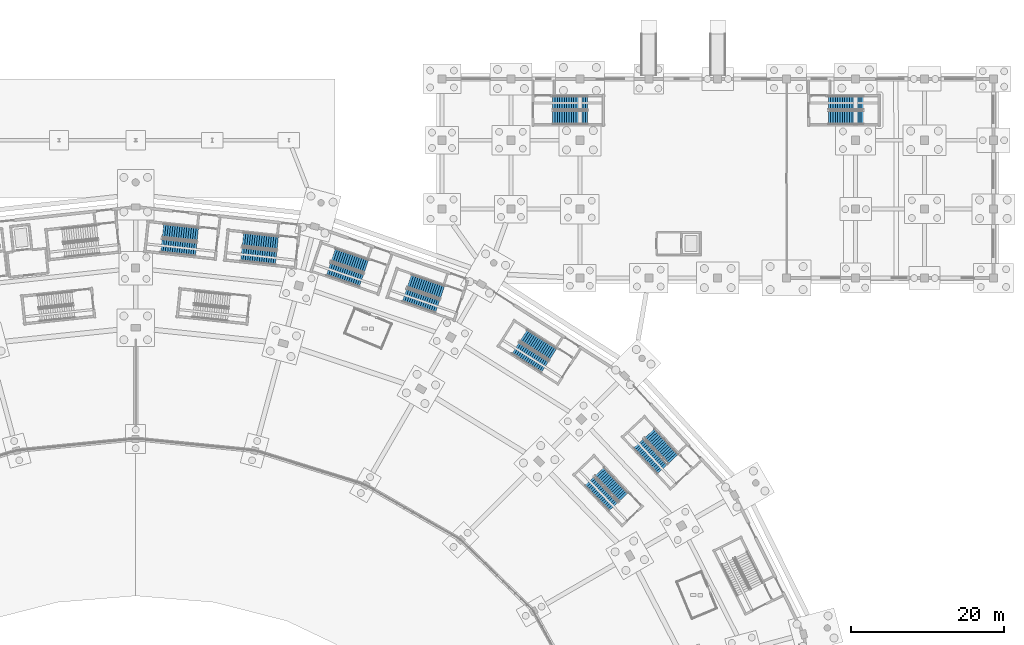
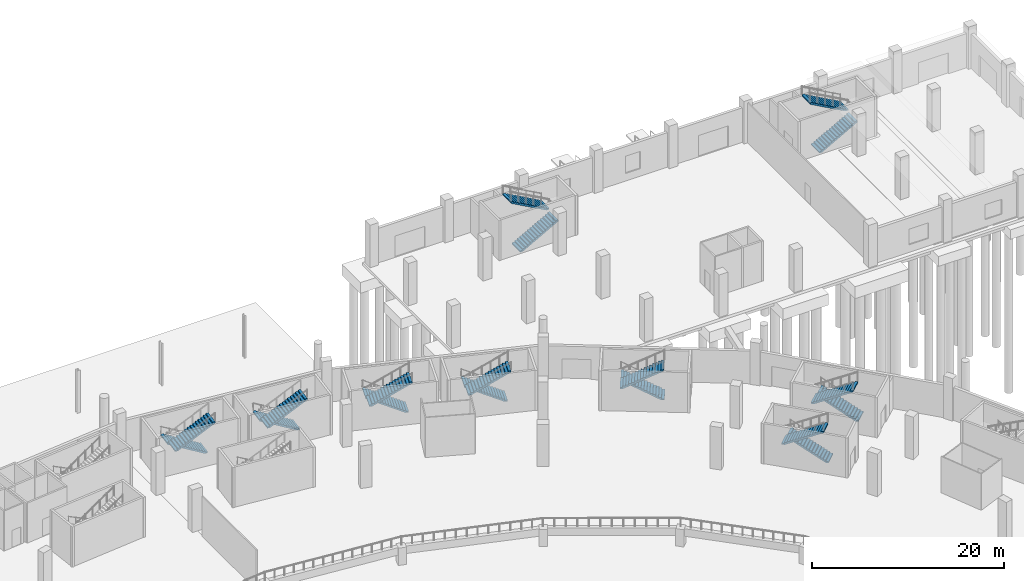
# One storey, part 55 of 103: 18 stair flights, 9 elements without a shape of their own.
"""IFC4 building model written with IfcOpenShell, lengths in metres."""

from ifc_helpers import new_model, si_unit, direction, frame, origin, place, context, subcontext, project, spatial, polyline, outline, extrude, material, type_object, element, aggregate, save


model = new_model("IFC4")

# Units and contexts
model_context = context("Model", 3, precision=1e-05, world=origin(), true_north=direction((0.0, 1.0)))
body_context = subcontext(model_context, "Body", "Model", "MODEL_VIEW")
ifc_project = project(units=[si_unit("LENGTHUNIT", "METRE"), si_unit("AREAUNIT", "SQUARE_METRE"), si_unit("VOLUMEUNIT", "CUBIC_METRE"), si_unit("PLANEANGLEUNIT", "RADIAN"), si_unit("MASSUNIT", "GRAM", prefix="KILO")], contexts=[model_context])

# Site, building, storey
site_placement = place(None, origin())
site = spatial("IfcSite", under=ifc_project, at=site_placement, CompositionType="ELEMENT")
building_placement = place(site_placement, origin())
building = spatial("IfcBuilding", under=site, at=building_placement, Name="Zevraka Park Crest Stadium", CompositionType="ELEMENT")
storey_placement = place(building_placement, origin())
storey = spatial("IfcBuildingStorey", under=building, at=storey_placement, Name="L00", CompositionType="ELEMENT", Elevation=0.0)

# Stair, stair flights
ifc_material_1 = material(Name="Concrete C35/45", Category="concrete")
stair_type_1 = type_object("IfcStairType", Name="STA1", PredefinedType="HALF_TURN_STAIR", material=ifc_material_1)
stair_1_placement = place(storey_placement, origin())
stair_1 = element("IfcStair", 1, at=stair_1_placement, inside=storey, type_object=stair_type_1, Name="L00 Protected Concourse Exit Stair ST03", PredefinedType="HALF_TURN_STAIR")
ifc_material_2 = material(Name="Concrete C35/45", Category="concrete")
stair_flight_type_1 = type_object("IfcStairFlightType", Name="FLA1", PredefinedType="STRAIGHT", material=ifc_material_2)
stair_flight_1_placement = place(storey_placement, frame((182.212646484375, 134.396240234375, 0.0), z_axis=(0.0, 0.0, 1.0), x_axis=(-0.680255347227, 0.732975212793, 0.0)))
stair_flight_1 = element("IfcStairFlight", 2, at=stair_flight_1_placement, type_object=stair_flight_type_1, Name="ST03 flight 1", NumberOfRisers=16, NumberOfTreads=15, PredefinedType="STRAIGHT", RiserHeight=0.16875, TreadLength=0.305, context=body_context, shape_type="SweptSolid", body=[
    extrude(outline(polyline([(0.0, 0.0), (0.0, 0.168701171875), (0.304931640625, 0.168701171875), (0.304931640625, 0.33740234375), (0.610107421875, 0.33740234375), (0.610107421875, 0.50634765625), (0.9150390625, 0.50634765625), (0.9150390625, 0.675048828125), (1.219970703125, 0.675048828125), (1.219970703125, 0.84375), (1.52490234375, 0.84375), (1.52490234375, 1.012451171875), (1.830078125, 1.012451171875), (1.830078125, 1.18115234375), (2.135009765625, 1.18115234375), (2.135009765625, 1.35009765625), (2.43994140625, 1.35009765625), (2.43994140625, 1.518798828125), (2.7451171875, 1.518798828125), (2.7451171875, 1.6875), (3.050048828125, 1.6875), (3.050048828125, 1.856201171875), (3.35498046875, 1.856201171875), (3.35498046875, 2.02490234375), (3.659912109375, 2.02490234375), (3.659912109375, 2.19384765625), (3.965087890625, 2.19384765625), (3.965087890625, 2.362548828125), (4.27001953125, 2.362548828125), (4.27001953125, 2.53125), (4.574951171875, 2.53125), (4.574951171875, 2.699951171875), (4.574951171875, 2.348388671875), (0.330322265625, 0.0), (0.0, 0.0)])), frame((0.0, 0.89990234375, 0.0), z_axis=(0.0, -1.0, 0.0), x_axis=(1.0, 0.0, 0.0)), (0.0, 0.0, 1.0), 1.800048828125),
])
stair_flight_2_placement = place(storey_placement, frame((177.663818359375, 136.416259765625, 2.699951171875), z_axis=(0.0, 0.0, 1.0), x_axis=(0.680255347227, -0.732975212793, 0.0)))
stair_flight_2 = element("IfcStairFlight", 3, at=stair_flight_2_placement, type_object=stair_flight_type_1, Name="ST03 flight 2", NumberOfRisers=16, NumberOfTreads=15, PredefinedType="STRAIGHT", RiserHeight=0.16875, TreadLength=0.305, context=body_context, shape_type="SweptSolid", body=[
    extrude(outline(polyline([(0.0, 0.0), (0.0, 0.168701171875), (0.304931640625, 0.168701171875), (0.304931640625, 0.33740234375), (0.610107421875, 0.33740234375), (0.610107421875, 0.50634765625), (0.9150390625, 0.50634765625), (0.9150390625, 0.675048828125), (1.219970703125, 0.675048828125), (1.219970703125, 0.84375), (1.52490234375, 0.84375), (1.52490234375, 1.012451171875), (1.830078125, 1.012451171875), (1.830078125, 1.18115234375), (2.135009765625, 1.18115234375), (2.135009765625, 1.35009765625), (2.43994140625, 1.35009765625), (2.43994140625, 1.518798828125), (2.7451171875, 1.518798828125), (2.7451171875, 1.6875), (3.050048828125, 1.6875), (3.050048828125, 1.856201171875), (3.35498046875, 1.856201171875), (3.35498046875, 2.02490234375), (3.659912109375, 2.02490234375), (3.659912109375, 2.19384765625), (3.965087890625, 2.19384765625), (3.965087890625, 2.362548828125), (4.27001953125, 2.362548828125), (4.27001953125, 2.53125), (4.574951171875, 2.53125), (4.574951171875, 2.699951171875), (4.574951171875, 2.348388671875), (0.330322265625, 0.0), (0.0, 0.0)])), frame((0.0, 0.89990234375, 0.0), z_axis=(0.0, -1.0, 0.0), x_axis=(1.0, 0.0, 0.0)), (0.0, 0.0, 1.0), 1.800048828125),
])
aggregate(stair_1, [stair_flight_1, stair_flight_2])

stair_2_placement = place(storey_placement, origin())
stair_2 = element("IfcStair", 4, at=stair_2_placement, inside=storey, type_object=stair_type_1, Name="L00 Protected Concourse Exit Stair ST04", PredefinedType="HALF_TURN_STAIR")
stair_flight_3_placement = place(storey_placement, frame((166.5029296875, 148.060302734375, 0.0), z_axis=(0.0, 0.0, 1.0), x_axis=(-0.844397122829, 0.535717741874, 0.0)))
stair_flight_3 = element("IfcStairFlight", 5, at=stair_flight_3_placement, type_object=stair_flight_type_1, Name="ST04 flight 1", NumberOfRisers=16, NumberOfTreads=15, PredefinedType="STRAIGHT", RiserHeight=0.16875, TreadLength=0.305, context=body_context, shape_type="SweptSolid", body=[
    extrude(outline(polyline([(0.0, 0.0), (0.0, 0.168701171875), (0.304931640625, 0.168701171875), (0.304931640625, 0.33740234375), (0.610107421875, 0.33740234375), (0.610107421875, 0.50634765625), (0.9150390625, 0.50634765625), (0.9150390625, 0.675048828125), (1.219970703125, 0.675048828125), (1.219970703125, 0.84375), (1.52490234375, 0.84375), (1.52490234375, 1.012451171875), (1.830078125, 1.012451171875), (1.830078125, 1.18115234375), (2.135009765625, 1.18115234375), (2.135009765625, 1.35009765625), (2.43994140625, 1.35009765625), (2.43994140625, 1.518798828125), (2.7451171875, 1.518798828125), (2.7451171875, 1.6875), (3.050048828125, 1.6875), (3.050048828125, 1.856201171875), (3.35498046875, 1.856201171875), (3.35498046875, 2.02490234375), (3.659912109375, 2.02490234375), (3.659912109375, 2.19384765625), (3.965087890625, 2.19384765625), (3.965087890625, 2.362548828125), (4.27001953125, 2.362548828125), (4.27001953125, 2.53125), (4.574951171875, 2.53125), (4.574951171875, 2.699951171875), (4.574951171875, 2.348388671875), (0.330322265625, 0.0), (0.0, 0.0)])), frame((0.0, 0.89990234375, 0.0), z_axis=(0.0, -1.0, 0.0), x_axis=(1.0, 0.0, 0.0)), (0.0, 0.0, 1.0), 1.800048828125),
])
stair_flight_4_placement = place(storey_placement, frame((161.58984375, 148.856201171875, 2.699951171875), z_axis=(0.0, 0.0, 1.0), x_axis=(0.844397122829, -0.535717741874, 0.0)))
stair_flight_4 = element("IfcStairFlight", 6, at=stair_flight_4_placement, type_object=stair_flight_type_1, Name="ST04 flight 2", NumberOfRisers=16, NumberOfTreads=15, PredefinedType="STRAIGHT", RiserHeight=0.16875, TreadLength=0.305, context=body_context, shape_type="SweptSolid", body=[
    extrude(outline(polyline([(0.0, 0.0), (0.0, 0.168701171875), (0.304931640625, 0.168701171875), (0.304931640625, 0.33740234375), (0.610107421875, 0.33740234375), (0.610107421875, 0.50634765625), (0.9150390625, 0.50634765625), (0.9150390625, 0.675048828125), (1.219970703125, 0.675048828125), (1.219970703125, 0.84375), (1.52490234375, 0.84375), (1.52490234375, 1.012451171875), (1.830078125, 1.012451171875), (1.830078125, 1.18115234375), (2.135009765625, 1.18115234375), (2.135009765625, 1.35009765625), (2.43994140625, 1.35009765625), (2.43994140625, 1.518798828125), (2.7451171875, 1.518798828125), (2.7451171875, 1.6875), (3.050048828125, 1.6875), (3.050048828125, 1.856201171875), (3.35498046875, 1.856201171875), (3.35498046875, 2.02490234375), (3.659912109375, 2.02490234375), (3.659912109375, 2.19384765625), (3.965087890625, 2.19384765625), (3.965087890625, 2.362548828125), (4.27001953125, 2.362548828125), (4.27001953125, 2.53125), (4.574951171875, 2.53125), (4.574951171875, 2.699951171875), (4.574951171875, 2.348388671875), (0.330322265625, 0.0), (0.0, 0.0)])), frame((0.0, 0.89990234375, 0.0), z_axis=(0.0, -1.0, 0.0), x_axis=(1.0, 0.0, 0.0)), (0.0, 0.0, 1.0), 1.800048828125),
])
aggregate(stair_2, [stair_flight_3, stair_flight_4])

stair_3_placement = place(storey_placement, origin())
stair_3 = element("IfcStair", 7, at=stair_3_placement, inside=storey, type_object=stair_type_1, Name="L00 Protected Concourse Exit Stair ST05", PredefinedType="HALF_TURN_STAIR")
stair_flight_5_placement = place(storey_placement, frame((152.057373046875, 156.154541015625, 0.0), z_axis=(0.0, 0.0, 1.0), x_axis=(-0.946066135515, 0.323973559463, 0.0)))
stair_flight_5 = element("IfcStairFlight", 8, at=stair_flight_5_placement, type_object=stair_flight_type_1, Name="ST05 flight 1", NumberOfRisers=16, NumberOfTreads=15, PredefinedType="STRAIGHT", RiserHeight=0.16875, TreadLength=0.305, context=body_context, shape_type="SweptSolid", body=[
    extrude(outline(polyline([(0.0, 0.0), (0.0, 0.168701171875), (0.304931640625, 0.168701171875), (0.304931640625, 0.33740234375), (0.610107421875, 0.33740234375), (0.610107421875, 0.50634765625), (0.9150390625, 0.50634765625), (0.9150390625, 0.675048828125), (1.219970703125, 0.675048828125), (1.219970703125, 0.84375), (1.52490234375, 0.84375), (1.52490234375, 1.012451171875), (1.830078125, 1.012451171875), (1.830078125, 1.18115234375), (2.135009765625, 1.18115234375), (2.135009765625, 1.35009765625), (2.43994140625, 1.35009765625), (2.43994140625, 1.518798828125), (2.7451171875, 1.518798828125), (2.7451171875, 1.6875), (3.050048828125, 1.6875), (3.050048828125, 1.856201171875), (3.35498046875, 1.856201171875), (3.35498046875, 2.02490234375), (3.659912109375, 2.02490234375), (3.659912109375, 2.19384765625), (3.965087890625, 2.19384765625), (3.965087890625, 2.362548828125), (4.27001953125, 2.362548828125), (4.27001953125, 2.53125), (4.574951171875, 2.53125), (4.574951171875, 2.699951171875), (4.574951171875, 2.348388671875), (0.330322265625, 0.0), (0.0, 0.0)])), frame((0.0, 0.89990234375, 0.0), z_axis=(0.0, -1.0, 0.0), x_axis=(1.0, 0.0, 0.0)), (0.0, 0.0, 1.0), 1.800048828125),
])
stair_flight_6_placement = place(storey_placement, frame((147.093994140625, 155.782470703125, 2.699951171875), z_axis=(0.0, 0.0, 1.0), x_axis=(0.946066135515, -0.323973559463, 0.0)))
stair_flight_6 = element("IfcStairFlight", 9, at=stair_flight_6_placement, type_object=stair_flight_type_1, Name="ST05 flight 2", NumberOfRisers=16, NumberOfTreads=15, PredefinedType="STRAIGHT", RiserHeight=0.16875, TreadLength=0.305, context=body_context, shape_type="SweptSolid", body=[
    extrude(outline(polyline([(0.0, 0.0), (0.0, 0.168701171875), (0.304931640625, 0.168701171875), (0.304931640625, 0.33740234375), (0.610107421875, 0.33740234375), (0.610107421875, 0.50634765625), (0.9150390625, 0.50634765625), (0.9150390625, 0.675048828125), (1.219970703125, 0.675048828125), (1.219970703125, 0.84375), (1.52490234375, 0.84375), (1.52490234375, 1.012451171875), (1.830078125, 1.012451171875), (1.830078125, 1.18115234375), (2.135009765625, 1.18115234375), (2.135009765625, 1.35009765625), (2.43994140625, 1.35009765625), (2.43994140625, 1.518798828125), (2.7451171875, 1.518798828125), (2.7451171875, 1.6875), (3.050048828125, 1.6875), (3.050048828125, 1.856201171875), (3.35498046875, 1.856201171875), (3.35498046875, 2.02490234375), (3.659912109375, 2.02490234375), (3.659912109375, 2.19384765625), (3.965087890625, 2.19384765625), (3.965087890625, 2.362548828125), (4.27001953125, 2.362548828125), (4.27001953125, 2.53125), (4.574951171875, 2.53125), (4.574951171875, 2.699951171875), (4.574951171875, 2.348388671875), (0.330322265625, 0.0), (0.0, 0.0)])), frame((0.0, 0.89990234375, 0.0), z_axis=(0.0, -1.0, 0.0), x_axis=(1.0, 0.0, 0.0)), (0.0, 0.0, 1.0), 1.800048828125),
])
aggregate(stair_3, [stair_flight_5, stair_flight_6])

stair_4_placement = place(storey_placement, origin())
stair_4 = element("IfcStair", 10, at=stair_4_placement, inside=storey, type_object=stair_type_1, Name="L00 Protected Concourse Exit Stair ST06", PredefinedType="HALF_TURN_STAIR")
stair_flight_7_placement = place(storey_placement, frame((130.545166015625, 162.56689453125, 0.0), z_axis=(0.0, 0.0, 1.0), x_axis=(-0.994127567381, 0.108214508149, 0.0)))
stair_flight_7 = element("IfcStairFlight", 11, at=stair_flight_7_placement, type_object=stair_flight_type_1, Name="ST06 flight 1", NumberOfRisers=16, NumberOfTreads=15, PredefinedType="STRAIGHT", RiserHeight=0.16875, TreadLength=0.305, context=body_context, shape_type="SweptSolid", body=[
    extrude(outline(polyline([(0.0, 0.0), (0.0, 0.168701171875), (0.304931640625, 0.168701171875), (0.304931640625, 0.33740234375), (0.610107421875, 0.33740234375), (0.610107421875, 0.50634765625), (0.9150390625, 0.50634765625), (0.9150390625, 0.675048828125), (1.219970703125, 0.675048828125), (1.219970703125, 0.84375), (1.52490234375, 0.84375), (1.52490234375, 1.012451171875), (1.830078125, 1.012451171875), (1.830078125, 1.18115234375), (2.135009765625, 1.18115234375), (2.135009765625, 1.35009765625), (2.43994140625, 1.35009765625), (2.43994140625, 1.518798828125), (2.7451171875, 1.518798828125), (2.7451171875, 1.6875), (3.050048828125, 1.6875), (3.050048828125, 1.856201171875), (3.35498046875, 1.856201171875), (3.35498046875, 2.02490234375), (3.659912109375, 2.02490234375), (3.659912109375, 2.19384765625), (3.965087890625, 2.19384765625), (3.965087890625, 2.362548828125), (4.27001953125, 2.362548828125), (4.27001953125, 2.53125), (4.574951171875, 2.53125), (4.574951171875, 2.699951171875), (4.574951171875, 2.348388671875), (0.330322265625, 0.0), (0.0, 0.0)])), frame((0.0, 0.89990234375, 0.0), z_axis=(0.0, -1.0, 0.0), x_axis=(1.0, 0.0, 0.0)), (0.0, 0.0, 1.0), 1.800048828125),
])
stair_flight_8_placement = place(storey_placement, frame((125.78515625, 161.113525390625, 2.699951171875), z_axis=(0.0, 0.0, 1.0), x_axis=(0.994127567381, -0.108214508149, 0.0)))
stair_flight_8 = element("IfcStairFlight", 12, at=stair_flight_8_placement, type_object=stair_flight_type_1, Name="ST06 flight 2", NumberOfRisers=16, NumberOfTreads=15, PredefinedType="STRAIGHT", RiserHeight=0.16875, TreadLength=0.305, context=body_context, shape_type="SweptSolid", body=[
    extrude(outline(polyline([(0.0, 0.0), (0.0, 0.168701171875), (0.304931640625, 0.168701171875), (0.304931640625, 0.33740234375), (0.610107421875, 0.33740234375), (0.610107421875, 0.50634765625), (0.9150390625, 0.50634765625), (0.9150390625, 0.675048828125), (1.219970703125, 0.675048828125), (1.219970703125, 0.84375), (1.52490234375, 0.84375), (1.52490234375, 1.012451171875), (1.830078125, 1.012451171875), (1.830078125, 1.18115234375), (2.135009765625, 1.18115234375), (2.135009765625, 1.35009765625), (2.43994140625, 1.35009765625), (2.43994140625, 1.518798828125), (2.7451171875, 1.518798828125), (2.7451171875, 1.6875), (3.050048828125, 1.6875), (3.050048828125, 1.856201171875), (3.35498046875, 1.856201171875), (3.35498046875, 2.02490234375), (3.659912109375, 2.02490234375), (3.659912109375, 2.19384765625), (3.965087890625, 2.19384765625), (3.965087890625, 2.362548828125), (4.27001953125, 2.362548828125), (4.27001953125, 2.53125), (4.574951171875, 2.53125), (4.574951171875, 2.699951171875), (4.574951171875, 2.348388671875), (0.330322265625, 0.0), (0.0, 0.0)])), frame((0.0, 0.89990234375, 0.0), z_axis=(0.0, -1.0, 0.0), x_axis=(1.0, 0.0, 0.0)), (0.0, 0.0, 1.0), 1.800048828125),
])
aggregate(stair_4, [stair_flight_7, stair_flight_8])

stair_5_placement = place(storey_placement, origin())
stair_5 = element("IfcStair", 13, at=stair_5_placement, inside=storey, type_object=stair_type_1, Name="L00 Protected Paired Concourse Exit Stair ST25", PredefinedType="HALF_TURN_STAIR")
stair_flight_9_placement = place(storey_placement, frame((142.123291015625, 159.555419921875, 0.0), z_axis=(0.0, 0.0, 1.0), x_axis=(-0.946066135515, 0.323973559463, 0.0)))
stair_flight_9 = element("IfcStairFlight", 14, at=stair_flight_9_placement, type_object=stair_flight_type_1, Name="ST25 flight 1", NumberOfRisers=16, NumberOfTreads=15, PredefinedType="STRAIGHT", RiserHeight=0.16875, TreadLength=0.305, context=body_context, shape_type="SweptSolid", body=[
    extrude(outline(polyline([(0.0, 0.0), (0.0, 0.168701171875), (0.304931640625, 0.168701171875), (0.304931640625, 0.33740234375), (0.610107421875, 0.33740234375), (0.610107421875, 0.50634765625), (0.9150390625, 0.50634765625), (0.9150390625, 0.675048828125), (1.219970703125, 0.675048828125), (1.219970703125, 0.84375), (1.52490234375, 0.84375), (1.52490234375, 1.012451171875), (1.830078125, 1.012451171875), (1.830078125, 1.18115234375), (2.135009765625, 1.18115234375), (2.135009765625, 1.35009765625), (2.43994140625, 1.35009765625), (2.43994140625, 1.518798828125), (2.7451171875, 1.518798828125), (2.7451171875, 1.6875), (3.050048828125, 1.6875), (3.050048828125, 1.856201171875), (3.35498046875, 1.856201171875), (3.35498046875, 2.02490234375), (3.659912109375, 2.02490234375), (3.659912109375, 2.19384765625), (3.965087890625, 2.19384765625), (3.965087890625, 2.362548828125), (4.27001953125, 2.362548828125), (4.27001953125, 2.53125), (4.574951171875, 2.53125), (4.574951171875, 2.699951171875), (4.574951171875, 2.348388671875), (0.330322265625, 0.0), (0.0, 0.0)])), frame((0.0, 0.89990234375, 0.0), z_axis=(0.0, -1.0, 0.0), x_axis=(1.0, 0.0, 0.0)), (0.0, 0.0, 1.0), 1.800048828125),
])
stair_flight_10_placement = place(storey_placement, frame((137.159912109375, 159.183349609375, 2.699951171875), z_axis=(0.0, 0.0, 1.0), x_axis=(0.946066135515, -0.323973559463, 0.0)))
stair_flight_10 = element("IfcStairFlight", 15, at=stair_flight_10_placement, type_object=stair_flight_type_1, Name="ST25 flight 2", NumberOfRisers=16, NumberOfTreads=15, PredefinedType="STRAIGHT", RiserHeight=0.16875, TreadLength=0.305, context=body_context, shape_type="SweptSolid", body=[
    extrude(outline(polyline([(0.0, 0.0), (0.0, 0.168701171875), (0.304931640625, 0.168701171875), (0.304931640625, 0.33740234375), (0.610107421875, 0.33740234375), (0.610107421875, 0.50634765625), (0.9150390625, 0.50634765625), (0.9150390625, 0.675048828125), (1.219970703125, 0.675048828125), (1.219970703125, 0.84375), (1.52490234375, 0.84375), (1.52490234375, 1.012451171875), (1.830078125, 1.012451171875), (1.830078125, 1.18115234375), (2.135009765625, 1.18115234375), (2.135009765625, 1.35009765625), (2.43994140625, 1.35009765625), (2.43994140625, 1.518798828125), (2.7451171875, 1.518798828125), (2.7451171875, 1.6875), (3.050048828125, 1.6875), (3.050048828125, 1.856201171875), (3.35498046875, 1.856201171875), (3.35498046875, 2.02490234375), (3.659912109375, 2.02490234375), (3.659912109375, 2.19384765625), (3.965087890625, 2.19384765625), (3.965087890625, 2.362548828125), (4.27001953125, 2.362548828125), (4.27001953125, 2.53125), (4.574951171875, 2.53125), (4.574951171875, 2.699951171875), (4.574951171875, 2.348388671875), (0.330322265625, 0.0), (0.0, 0.0)])), frame((0.0, 0.89990234375, 0.0), z_axis=(0.0, -1.0, 0.0), x_axis=(1.0, 0.0, 0.0)), (0.0, 0.0, 1.0), 1.800048828125),
])
aggregate(stair_5, [stair_flight_9, stair_flight_10])

stair_6_placement = place(storey_placement, origin())
stair_6 = element("IfcStair", 16, at=stair_6_placement, inside=storey, type_object=stair_type_1, Name="L00 Protected Paired Concourse Exit Stair ST26", PredefinedType="HALF_TURN_STAIR")
stair_flight_11_placement = place(storey_placement, frame((120.107177734375, 163.702880859375, 0.0), z_axis=(0.0, 0.0, 1.0), x_axis=(-0.994127567381, 0.108214508149, 0.0)))
stair_flight_11 = element("IfcStairFlight", 17, at=stair_flight_11_placement, type_object=stair_flight_type_1, Name="ST26 flight 1", NumberOfRisers=16, NumberOfTreads=15, PredefinedType="STRAIGHT", RiserHeight=0.16875, TreadLength=0.305, context=body_context, shape_type="SweptSolid", body=[
    extrude(outline(polyline([(0.0, 0.0), (0.0, 0.168701171875), (0.304931640625, 0.168701171875), (0.304931640625, 0.33740234375), (0.610107421875, 0.33740234375), (0.610107421875, 0.50634765625), (0.9150390625, 0.50634765625), (0.9150390625, 0.675048828125), (1.219970703125, 0.675048828125), (1.219970703125, 0.84375), (1.52490234375, 0.84375), (1.52490234375, 1.012451171875), (1.830078125, 1.012451171875), (1.830078125, 1.18115234375), (2.135009765625, 1.18115234375), (2.135009765625, 1.35009765625), (2.43994140625, 1.35009765625), (2.43994140625, 1.518798828125), (2.7451171875, 1.518798828125), (2.7451171875, 1.6875), (3.050048828125, 1.6875), (3.050048828125, 1.856201171875), (3.35498046875, 1.856201171875), (3.35498046875, 2.02490234375), (3.659912109375, 2.02490234375), (3.659912109375, 2.19384765625), (3.965087890625, 2.19384765625), (3.965087890625, 2.362548828125), (4.27001953125, 2.362548828125), (4.27001953125, 2.53125), (4.574951171875, 2.53125), (4.574951171875, 2.699951171875), (4.574951171875, 2.348388671875), (0.330322265625, 0.0), (0.0, 0.0)])), frame((0.0, 0.89990234375, 0.0), z_axis=(0.0, -1.0, 0.0), x_axis=(1.0, 0.0, 0.0)), (0.0, 0.0, 1.0), 1.800048828125),
])
stair_flight_12_placement = place(storey_placement, frame((115.34716796875, 162.24951171875, 2.699951171875), z_axis=(0.0, 0.0, 1.0), x_axis=(0.994127567381, -0.108214508149, 0.0)))
stair_flight_12 = element("IfcStairFlight", 18, at=stair_flight_12_placement, type_object=stair_flight_type_1, Name="ST26 flight 2", NumberOfRisers=16, NumberOfTreads=15, PredefinedType="STRAIGHT", RiserHeight=0.16875, TreadLength=0.305, context=body_context, shape_type="SweptSolid", body=[
    extrude(outline(polyline([(0.0, 0.0), (0.0, 0.168701171875), (0.304931640625, 0.168701171875), (0.304931640625, 0.33740234375), (0.610107421875, 0.33740234375), (0.610107421875, 0.50634765625), (0.9150390625, 0.50634765625), (0.9150390625, 0.675048828125), (1.219970703125, 0.675048828125), (1.219970703125, 0.84375), (1.52490234375, 0.84375), (1.52490234375, 1.012451171875), (1.830078125, 1.012451171875), (1.830078125, 1.18115234375), (2.135009765625, 1.18115234375), (2.135009765625, 1.35009765625), (2.43994140625, 1.35009765625), (2.43994140625, 1.518798828125), (2.7451171875, 1.518798828125), (2.7451171875, 1.6875), (3.050048828125, 1.6875), (3.050048828125, 1.856201171875), (3.35498046875, 1.856201171875), (3.35498046875, 2.02490234375), (3.659912109375, 2.02490234375), (3.659912109375, 2.19384765625), (3.965087890625, 2.19384765625), (3.965087890625, 2.362548828125), (4.27001953125, 2.362548828125), (4.27001953125, 2.53125), (4.574951171875, 2.53125), (4.574951171875, 2.699951171875), (4.574951171875, 2.348388671875), (0.330322265625, 0.0), (0.0, 0.0)])), frame((0.0, 0.89990234375, 0.0), z_axis=(0.0, -1.0, 0.0), x_axis=(1.0, 0.0, 0.0)), (0.0, 0.0, 1.0), 1.800048828125),
])
aggregate(stair_6, [stair_flight_11, stair_flight_12])

ifc_material_3 = material(Name="Concrete C35/45", Category="concrete")
stair_type_2 = type_object("IfcStairType", Name="STB1", PredefinedType="HALF_TURN_STAIR", material=ifc_material_3)
stair_7_placement = place(storey_placement, origin())
stair_7 = element("IfcStair", 19, at=stair_7_placement, inside=storey, type_object=stair_type_2, Name="L00 Protected Concourse Relief Stair ST34", PredefinedType="HALF_TURN_STAIR")
ifc_material_4 = material(Name="Concrete C35/45", Category="concrete")
stair_flight_type_2 = type_object("IfcStairFlightType", Name="FLB1", PredefinedType="STRAIGHT", material=ifc_material_4)
stair_flight_13_placement = place(storey_placement, frame((175.717041015625, 129.41943359375, 0.0), z_axis=(0.0, 0.0, 1.0), x_axis=(-0.68832672281, 0.725400801396, 0.0)))
stair_flight_13 = element("IfcStairFlight", 20, at=stair_flight_13_placement, type_object=stair_flight_type_2, Name="ST34 flight 1", NumberOfRisers=16, NumberOfTreads=15, PredefinedType="STRAIGHT", RiserHeight=0.16875, TreadLength=0.305, context=body_context, shape_type="SweptSolid", body=[
    extrude(outline(polyline([(0.0, 0.0), (0.0, 0.168701171875), (0.304931640625, 0.168701171875), (0.304931640625, 0.33740234375), (0.610107421875, 0.33740234375), (0.610107421875, 0.50634765625), (0.9150390625, 0.50634765625), (0.9150390625, 0.675048828125), (1.219970703125, 0.675048828125), (1.219970703125, 0.84375), (1.52490234375, 0.84375), (1.52490234375, 1.012451171875), (1.830078125, 1.012451171875), (1.830078125, 1.18115234375), (2.135009765625, 1.18115234375), (2.135009765625, 1.35009765625), (2.43994140625, 1.35009765625), (2.43994140625, 1.518798828125), (2.7451171875, 1.518798828125), (2.7451171875, 1.6875), (3.050048828125, 1.6875), (3.050048828125, 1.856201171875), (3.35498046875, 1.856201171875), (3.35498046875, 2.02490234375), (3.659912109375, 2.02490234375), (3.659912109375, 2.19384765625), (3.965087890625, 2.19384765625), (3.965087890625, 2.362548828125), (4.27001953125, 2.362548828125), (4.27001953125, 2.53125), (4.574951171875, 2.53125), (4.574951171875, 2.699951171875), (4.574951171875, 2.348388671875), (0.330322265625, 0.0), (0.0, 0.0)])), frame((0.0, 0.824951171875, 0.0), z_axis=(0.0, -1.0, 0.0), x_axis=(1.0, 0.0, 0.0)), (0.0, 0.0, 1.0), 1.64990234375),
])
stair_flight_14_placement = place(storey_placement, frame((171.255126953125, 131.4921875, 2.699951171875), z_axis=(0.0, 0.0, 1.0), x_axis=(0.68832672281, -0.725400801396, 0.0)))
stair_flight_14 = element("IfcStairFlight", 21, at=stair_flight_14_placement, type_object=stair_flight_type_2, Name="ST34 flight 2", NumberOfRisers=16, NumberOfTreads=15, PredefinedType="STRAIGHT", RiserHeight=0.16875, TreadLength=0.305, context=body_context, shape_type="SweptSolid", body=[
    extrude(outline(polyline([(0.0, 0.0), (0.0, 0.168701171875), (0.304931640625, 0.168701171875), (0.304931640625, 0.33740234375), (0.610107421875, 0.33740234375), (0.610107421875, 0.50634765625), (0.9150390625, 0.50634765625), (0.9150390625, 0.675048828125), (1.219970703125, 0.675048828125), (1.219970703125, 0.84375), (1.52490234375, 0.84375), (1.52490234375, 1.012451171875), (1.830078125, 1.012451171875), (1.830078125, 1.18115234375), (2.135009765625, 1.18115234375), (2.135009765625, 1.35009765625), (2.43994140625, 1.35009765625), (2.43994140625, 1.518798828125), (2.7451171875, 1.518798828125), (2.7451171875, 1.6875), (3.050048828125, 1.6875), (3.050048828125, 1.856201171875), (3.35498046875, 1.856201171875), (3.35498046875, 2.02490234375), (3.659912109375, 2.02490234375), (3.659912109375, 2.19384765625), (3.965087890625, 2.19384765625), (3.965087890625, 2.362548828125), (4.27001953125, 2.362548828125), (4.27001953125, 2.53125), (4.574951171875, 2.53125), (4.574951171875, 2.699951171875), (4.574951171875, 2.348388671875), (0.330322265625, 0.0), (0.0, 0.0)])), frame((0.0, 0.824951171875, 0.0), z_axis=(0.0, -1.0, 0.0), x_axis=(1.0, 0.0, 0.0)), (0.0, 0.0, 1.0), 1.64990234375),
])
aggregate(stair_7, [stair_flight_13, stair_flight_14])

ifc_material_5 = material(Name="Concrete C35/45", Category="concrete")
stair_type_3 = type_object("IfcStairType", Name="STC1", PredefinedType="HALF_TURN_STAIR", material=ifc_material_5)
stair_8_placement = place(storey_placement, origin())
stair_8 = element("IfcStair", 22, at=stair_8_placement, inside=storey, type_object=stair_type_3, Name="L00 North Gate Pavilion East Stair ST45", PredefinedType="HALF_TURN_STAIR")
ifc_material_6 = material(Name="Concrete C35/45", Category="concrete")
stair_flight_type_3 = type_object("IfcStairFlightType", Name="FLC1", PredefinedType="STRAIGHT", material=ifc_material_6)
stair_flight_15_placement = place(storey_placement, frame((202.449951171875, 178.965087890625, 0.0), z_axis=(0.0, 0.0, 1.0), x_axis=(1.0, 0.0, 0.0)))
stair_flight_15 = element("IfcStairFlight", 23, at=stair_flight_15_placement, type_object=stair_flight_type_3, Name="ST45 flight 1", NumberOfRisers=16, NumberOfTreads=15, PredefinedType="STRAIGHT", RiserHeight=0.16875, TreadLength=0.305, context=body_context, shape_type="SweptSolid", body=[
    extrude(outline(polyline([(0.0, 0.0), (0.0, 0.168701171875), (0.304931640625, 0.168701171875), (0.304931640625, 0.33740234375), (0.610107421875, 0.33740234375), (0.610107421875, 0.50634765625), (0.9150390625, 0.50634765625), (0.9150390625, 0.675048828125), (1.219970703125, 0.675048828125), (1.219970703125, 0.84375), (1.52490234375, 0.84375), (1.52490234375, 1.012451171875), (1.830078125, 1.012451171875), (1.830078125, 1.18115234375), (2.135009765625, 1.18115234375), (2.135009765625, 1.35009765625), (2.43994140625, 1.35009765625), (2.43994140625, 1.518798828125), (2.7451171875, 1.518798828125), (2.7451171875, 1.6875), (3.050048828125, 1.6875), (3.050048828125, 1.856201171875), (3.35498046875, 1.856201171875), (3.35498046875, 2.02490234375), (3.659912109375, 2.02490234375), (3.659912109375, 2.19384765625), (3.965087890625, 2.19384765625), (3.965087890625, 2.362548828125), (4.27001953125, 2.362548828125), (4.27001953125, 2.53125), (4.574951171875, 2.53125), (4.574951171875, 2.699951171875), (4.574951171875, 2.348388671875), (0.330322265625, 0.0), (0.0, 0.0)])), frame((0.0, 0.875, 0.0), z_axis=(0.0, -1.0, 0.0), x_axis=(1.0, 0.0, 0.0)), (0.0, 0.0, 1.0), 1.75),
])
stair_flight_16_placement = place(storey_placement, frame((207.02490234375, 180.875, 2.699951171875), z_axis=(0.0, 0.0, 1.0), x_axis=(-1.0, 0.0, 0.0)))
stair_flight_16 = element("IfcStairFlight", 24, at=stair_flight_16_placement, type_object=stair_flight_type_3, Name="ST45 flight 2", NumberOfRisers=16, NumberOfTreads=15, PredefinedType="STRAIGHT", RiserHeight=0.16875, TreadLength=0.305, context=body_context, shape_type="SweptSolid", body=[
    extrude(outline(polyline([(0.0, 0.0), (0.0, 0.168701171875), (0.304931640625, 0.168701171875), (0.304931640625, 0.33740234375), (0.610107421875, 0.33740234375), (0.610107421875, 0.50634765625), (0.9150390625, 0.50634765625), (0.9150390625, 0.675048828125), (1.219970703125, 0.675048828125), (1.219970703125, 0.84375), (1.52490234375, 0.84375), (1.52490234375, 1.012451171875), (1.830078125, 1.012451171875), (1.830078125, 1.18115234375), (2.135009765625, 1.18115234375), (2.135009765625, 1.35009765625), (2.43994140625, 1.35009765625), (2.43994140625, 1.518798828125), (2.7451171875, 1.518798828125), (2.7451171875, 1.6875), (3.050048828125, 1.6875), (3.050048828125, 1.856201171875), (3.35498046875, 1.856201171875), (3.35498046875, 2.02490234375), (3.659912109375, 2.02490234375), (3.659912109375, 2.19384765625), (3.965087890625, 2.19384765625), (3.965087890625, 2.362548828125), (4.27001953125, 2.362548828125), (4.27001953125, 2.53125), (4.574951171875, 2.53125), (4.574951171875, 2.699951171875), (4.574951171875, 2.348388671875), (0.330322265625, 0.0), (0.0, 0.0)])), frame((0.0, 0.875, 0.0), z_axis=(0.0, -1.0, 0.0), x_axis=(1.0, 0.0, 0.0)), (0.0, 0.0, 1.0), 1.75),
])
aggregate(stair_8, [stair_flight_15, stair_flight_16])

stair_9_placement = place(storey_placement, origin())
stair_9 = element("IfcStair", 25, at=stair_9_placement, inside=storey, type_object=stair_type_3, Name="L00 North Gate Pavilion West Stair ST46", PredefinedType="HALF_TURN_STAIR")
stair_flight_17_placement = place(storey_placement, frame((166.449951171875, 178.965087890625, 0.0), z_axis=(0.0, 0.0, 1.0), x_axis=(1.0, 0.0, 0.0)))
stair_flight_17 = element("IfcStairFlight", 26, at=stair_flight_17_placement, type_object=stair_flight_type_3, Name="ST46 flight 1", NumberOfRisers=16, NumberOfTreads=15, PredefinedType="STRAIGHT", RiserHeight=0.16875, TreadLength=0.305, context=body_context, shape_type="SweptSolid", body=[
    extrude(outline(polyline([(0.0, 0.0), (0.0, 0.168701171875), (0.304931640625, 0.168701171875), (0.304931640625, 0.33740234375), (0.610107421875, 0.33740234375), (0.610107421875, 0.50634765625), (0.9150390625, 0.50634765625), (0.9150390625, 0.675048828125), (1.219970703125, 0.675048828125), (1.219970703125, 0.84375), (1.52490234375, 0.84375), (1.52490234375, 1.012451171875), (1.830078125, 1.012451171875), (1.830078125, 1.18115234375), (2.135009765625, 1.18115234375), (2.135009765625, 1.35009765625), (2.43994140625, 1.35009765625), (2.43994140625, 1.518798828125), (2.7451171875, 1.518798828125), (2.7451171875, 1.6875), (3.050048828125, 1.6875), (3.050048828125, 1.856201171875), (3.35498046875, 1.856201171875), (3.35498046875, 2.02490234375), (3.659912109375, 2.02490234375), (3.659912109375, 2.19384765625), (3.965087890625, 2.19384765625), (3.965087890625, 2.362548828125), (4.27001953125, 2.362548828125), (4.27001953125, 2.53125), (4.574951171875, 2.53125), (4.574951171875, 2.699951171875), (4.574951171875, 2.348388671875), (0.330322265625, 0.0), (0.0, 0.0)])), frame((0.0, 0.875, 0.0), z_axis=(0.0, -1.0, 0.0), x_axis=(1.0, 0.0, 0.0)), (0.0, 0.0, 1.0), 1.75),
])
stair_flight_18_placement = place(storey_placement, frame((171.02490234375, 180.875, 2.699951171875), z_axis=(0.0, 0.0, 1.0), x_axis=(-1.0, 0.0, 0.0)))
stair_flight_18 = element("IfcStairFlight", 27, at=stair_flight_18_placement, type_object=stair_flight_type_3, Name="ST46 flight 2", NumberOfRisers=16, NumberOfTreads=15, PredefinedType="STRAIGHT", RiserHeight=0.16875, TreadLength=0.305, context=body_context, shape_type="SweptSolid", body=[
    extrude(outline(polyline([(0.0, 0.0), (0.0, 0.168701171875), (0.304931640625, 0.168701171875), (0.304931640625, 0.33740234375), (0.610107421875, 0.33740234375), (0.610107421875, 0.50634765625), (0.9150390625, 0.50634765625), (0.9150390625, 0.675048828125), (1.219970703125, 0.675048828125), (1.219970703125, 0.84375), (1.52490234375, 0.84375), (1.52490234375, 1.012451171875), (1.830078125, 1.012451171875), (1.830078125, 1.18115234375), (2.135009765625, 1.18115234375), (2.135009765625, 1.35009765625), (2.43994140625, 1.35009765625), (2.43994140625, 1.518798828125), (2.7451171875, 1.518798828125), (2.7451171875, 1.6875), (3.050048828125, 1.6875), (3.050048828125, 1.856201171875), (3.35498046875, 1.856201171875), (3.35498046875, 2.02490234375), (3.659912109375, 2.02490234375), (3.659912109375, 2.19384765625), (3.965087890625, 2.19384765625), (3.965087890625, 2.362548828125), (4.27001953125, 2.362548828125), (4.27001953125, 2.53125), (4.574951171875, 2.53125), (4.574951171875, 2.699951171875), (4.574951171875, 2.348388671875), (0.330322265625, 0.0), (0.0, 0.0)])), frame((0.0, 0.875, 0.0), z_axis=(0.0, -1.0, 0.0), x_axis=(1.0, 0.0, 0.0)), (0.0, 0.0, 1.0), 1.75),
])
aggregate(stair_9, [stair_flight_17, stair_flight_18])

save(model, "model.ifc")
